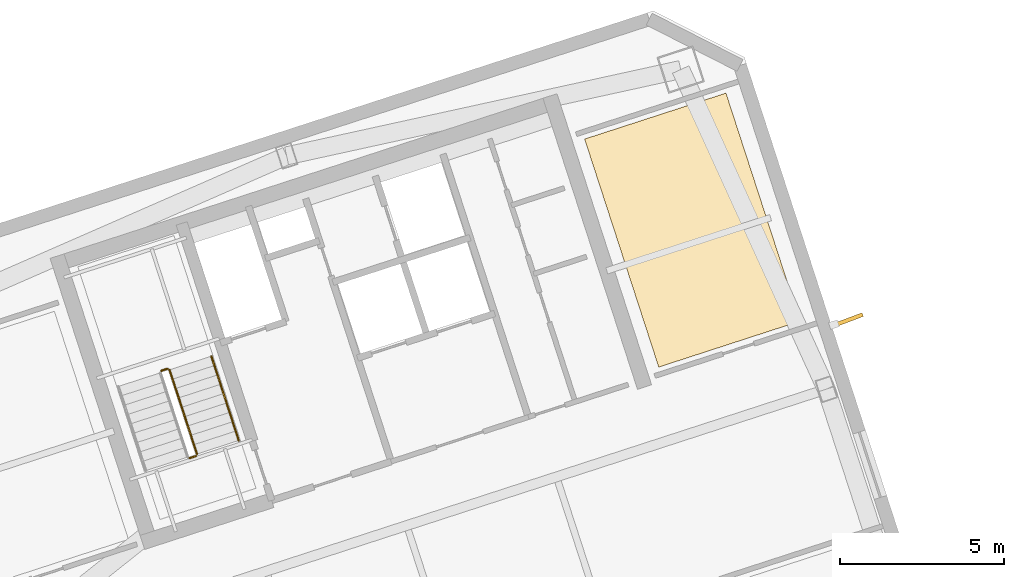
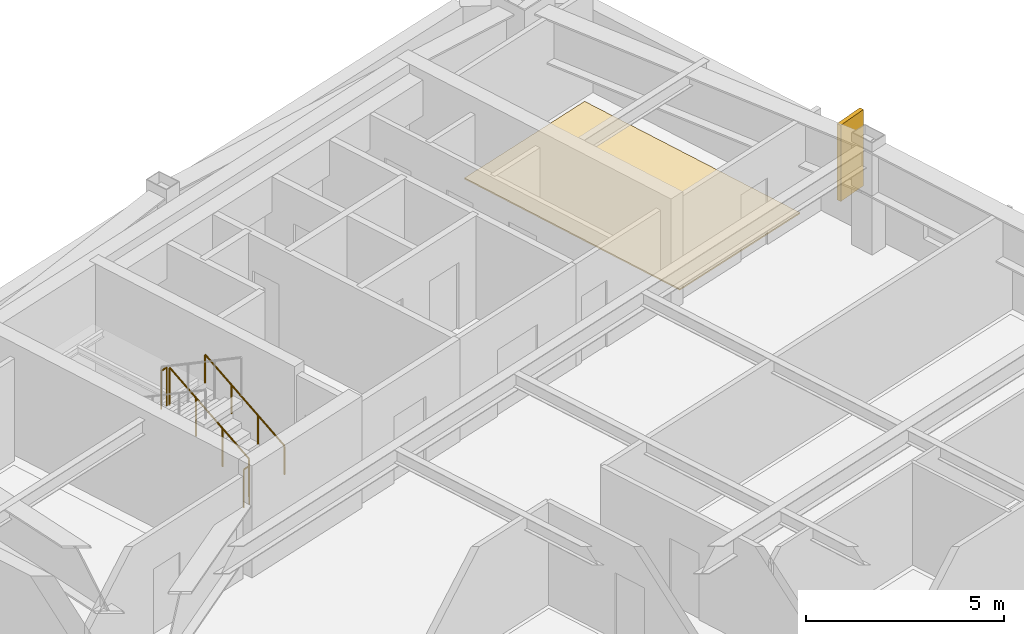
# One storey, part 19 of 19: 4 railings, 1 covering, 1 shading device.
"""IFC4 building model written with IfcOpenShell, lengths in metres."""

from ifc_helpers import new_model, si_unit, direction, frame, origin, origin_2d, place, context, subcontext, project, spatial, polyline, rectangle, circle, outline, extrude, material, layer, layer_set, type_object, element, save


model = new_model("IFC4")

# Units and contexts
model_context = context("Model", 3, precision=1e-05, world=origin(), true_north=direction((0.0, 1.0)))
body_context = subcontext(model_context, "Body", "Model", "MODEL_VIEW")
ifc_project = project(units=[si_unit("LENGTHUNIT", "METRE"), si_unit("AREAUNIT", "SQUARE_METRE"), si_unit("VOLUMEUNIT", "CUBIC_METRE"), si_unit("PLANEANGLEUNIT", "RADIAN"), si_unit("MASSUNIT", "GRAM", prefix="KILO")], contexts=[model_context])

# Site, building, storey
site_placement = place(None, origin())
site = spatial("IfcSite", under=ifc_project, at=site_placement, CompositionType="ELEMENT")
building_placement = place(site_placement, origin())
building = spatial("IfcBuilding", under=site, at=building_placement, Name="Qiaolan Cultural Towers", CompositionType="ELEMENT")
storey_placement = place(building_placement, frame((0.0, 0.0, 216.199951171875)))
storey = spatial("IfcBuildingStorey", under=building, at=storey_placement, Name="L58", CompositionType="ELEMENT", Elevation=216.199951171875)

# Covering
ifc_material_1 = material(Name="Honed Terrazzo & Raised Access Flooring", Category="concrete")
ifc_layer_1 = layer(ifc_material_1, 0.0400390625)
ifc_layer_set_1 = layer_set([ifc_layer_1], Name="Honed Terrazzo & Raised Access Flooring")
covering_type = type_object("IfcCoveringType", Name="COV-FLR-STONE", PredefinedType="FLOORING", material=ifc_layer_set_1)
covering_placement = place(storey_placement, origin())
element("IfcCovering", 1, at=covering_placement, inside=storey, type_object=covering_type, Name="L58 Corner Sky Park Cultural Salon Finish Flooring", PredefinedType="FLOORING", context=body_context, shape_type="SweptSolid", body=[
    extrude(outline(polyline([(99.21044921875, 48.7900390625), (96.951416015625, 55.7421875), (92.643310546875, 54.342529296875), (94.902099609375, 47.39013671875), (99.21044921875, 48.7900390625)])), origin(), (0.0, 0.0, 1.0), 0.0400390625),
])

# Railings
ifc_material_2 = material(Name="Galvanized Painted Steel Stair Guardrail", Category="steel")
railing_type_1 = type_object("IfcRailingType", Name="RL-STAIR-GRD", PredefinedType="GUARDRAIL", material=ifc_material_2)
railing_1_placement = place(storey_placement, frame((80.822021484375, 44.739501953125, 0.172607421875)))
element("IfcRailing", 2, at=railing_1_placement, inside=storey, type_object=railing_type_1, Name="L58 ST-E2 stair guard 1", PredefinedType="GUARDRAIL", context=body_context, shape_type="SweptSolid", body=[
    extrude(circle(Radius=0.02392578125, at=origin_2d()), frame((0.0, 0.0, 1.17578125), z_axis=(-0.26785290645, 0.824488402118, 0.498471358535), x_axis=(-0.951069945308, -0.308975661068, 0.0)), (0.0, 0.0, 1.0), 3.114501953125),
    extrude(circle(Radius=0.02099609375, at=origin_2d()), origin(), (0.0, 0.0, 1.0), 1.15185546875),
    extrude(circle(Radius=0.02099609375, at=origin_2d()), frame((-0.278076171875, 0.85595703125, 0.517578125)), (0.0, 0.0, 1.0), 1.15185546875),
    extrude(circle(Radius=0.02099609375, at=origin_2d()), frame((-0.55615234375, 1.7119140625, 1.034912109375)), (0.0, 0.0, 1.0), 1.15185546875),
    extrude(circle(Radius=0.02099609375, at=origin_2d()), frame((-0.834228515625, 2.56787109375, 1.552490234375)), (0.0, 0.0, 1.0), 1.15185546875),
])
for number, where, name in (
    (3, (79.9248046875, 47.33935546875, 1.72509765625), "L58 ST-E2 stair guard 2"),
    (4, (80.7900390625, 44.676513671875, 0.0), "L58 ST-E2 stair guard 4"),
):
    element("IfcRailing", number, at=place(storey_placement, frame(where)), inside=storey, type_object=railing_type_1, Name=name, PredefinedType="GUARDRAIL", context=body_context, shape_type="SweptSolid", body=[
        extrude(circle(Radius=0.02392578125, at=origin_2d()), frame((0.0, 0.0, 1.17578125), z_axis=(-0.951096855055, -0.308892816854, 0.0), x_axis=(0.308892816854, -0.951096855055, 0.0)), (0.0, 0.0, 1.0), 0.199951171875),
        extrude(circle(Radius=0.02099609375, at=origin_2d()), origin(), (0.0, 0.0, 1.0), 1.15185546875),
        extrude(circle(Radius=0.02099609375, at=origin_2d()), frame((-0.190185546875, -0.061767578125, 0.0)), (0.0, 0.0, 1.0), 1.15185546875),
    ])
ifc_material_3 = material(Name="Stainless Steel S30408 Tubular Handrail", Category="steel")
railing_type_2 = type_object("IfcRailingType", Name="RL-STAIR-HR", PredefinedType="HANDRAIL", material=ifc_material_3)
railing_2_placement = place(storey_placement, frame((82.096435546875, 45.153564453125, 0.172607421875)))
element("IfcRailing", 5, at=railing_2_placement, inside=storey, type_object=railing_type_2, Name="L58 ST-E2 stair handrail 1", PredefinedType="HANDRAIL", context=body_context, shape_type="SweptSolid", body=[
    extrude(circle(Radius=0.02392578125, at=origin_2d()), frame((0.0, 0.0, 0.8759765625), z_axis=(-0.26785290645, 0.824488402118, 0.498471358535), x_axis=(-0.951069945308, -0.308975661068, 0.0)), (0.0, 0.0, 1.0), 3.114501953125),
    extrude(circle(Radius=0.02099609375, at=origin_2d()), origin(), (0.0, 0.0, 1.0), 0.851806640625),
    extrude(circle(Radius=0.02099609375, at=origin_2d()), frame((-0.278076171875, 0.85595703125, 0.517578125)), (0.0, 0.0, 1.0), 0.851806640625),
    extrude(circle(Radius=0.02099609375, at=origin_2d()), frame((-0.55615234375, 1.7119140625, 1.034912109375)), (0.0, 0.0, 1.0), 0.851806640625),
    extrude(circle(Radius=0.02099609375, at=origin_2d()), frame((-0.834228515625, 2.56787109375, 1.552490234375)), (0.0, 0.0, 1.0), 0.851806640625),
])

# Shading device
ifc_material_4 = material(Name="Light Limestone Precast Vertical Fin", Category="masonry")
ifc_layer_2 = layer(ifc_material_4, 0.1201171875)
ifc_layer_set_2 = layer_set([ifc_layer_2], Name="Light Limestone Precast Vertical Fin")
shading_device_type = type_object("IfcShadingDeviceType", Name="SHD-FIN-WHITE", PredefinedType="USERDEFINED", material=ifc_layer_set_2)
shading_device_placement = place(storey_placement, frame((100.7001953125, 48.83251953125, 0.10009765625), z_axis=(0.0, 0.0, 1.0), x_axis=(0.936030529583, 0.351918808376, 0.0)))
element("IfcShadingDevice", 6, at=shading_device_placement, inside=storey, type_object=shading_device_type, Name="L58 T2 Expressive Precast Vertical Fin E3", ObjectType="FIN", PredefinedType="USERDEFINED", context=body_context, shape_type="SweptSolid", body=[
    extrude(rectangle(XDim=0.89990234375, YDim=0.1201171875, at=origin_2d()), origin(), (0.0, 0.0, 1.0), 2.35009765625),
])

save(model, "model.ifc")
